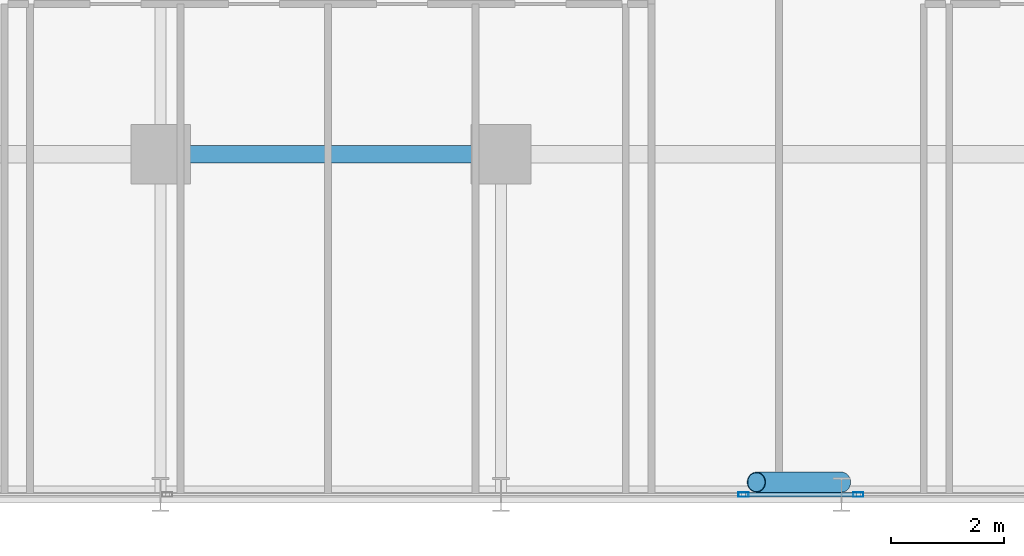
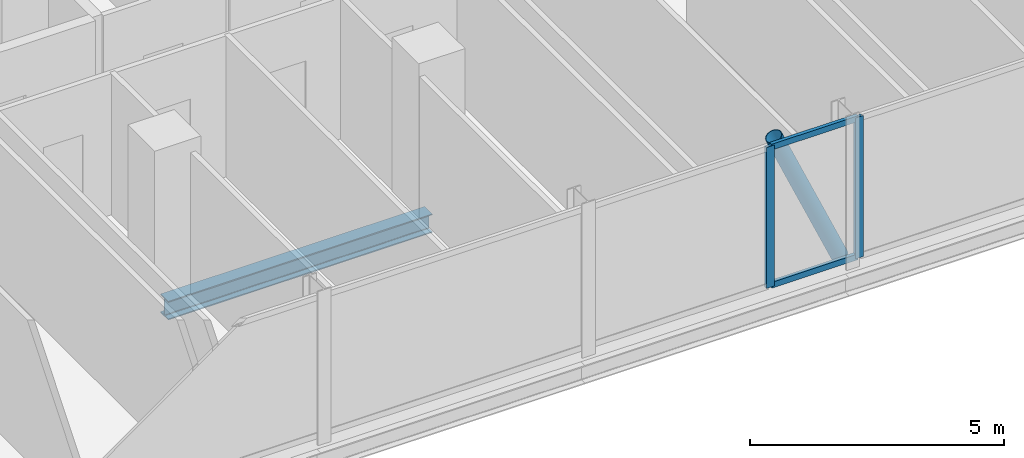
# One storey, part 8 of 29: 5 members, 1 beam, 2 elements without a shape of their own.
"""IFC4 building model written with IfcOpenShell, lengths in metres."""

from ifc_helpers import new_model, si_unit, direction, frame, origin, origin_2d, place, context, subcontext, project, spatial, hollow_rectangle, hollow_circle, i_section, extrude, material, layer, layer_set, material_profile, profile_set, type_object, element, aggregate, save


model = new_model("IFC4")

# Units and contexts
model_context = context("Model", 3, precision=1e-05, world=origin(), true_north=direction((0.0, 1.0)))
body_context = subcontext(model_context, "Body", "Model", "MODEL_VIEW")
ifc_project = project(units=[si_unit("LENGTHUNIT", "METRE"), si_unit("AREAUNIT", "SQUARE_METRE"), si_unit("VOLUMEUNIT", "CUBIC_METRE"), si_unit("PLANEANGLEUNIT", "RADIAN"), si_unit("MASSUNIT", "GRAM", prefix="KILO")], contexts=[model_context])

# Site, building, storey
site_placement = place(None, origin())
site = spatial("IfcSite", under=ifc_project, at=site_placement, CompositionType="ELEMENT")
building_placement = place(site_placement, origin())
building = spatial("IfcBuilding", under=site, at=building_placement, Name="Keshet Zoharim Tower", CompositionType="ELEMENT")
storey_placement = place(building_placement, frame((0.0, 0.0, 98.300048828125)))
storey = spatial("IfcBuildingStorey", under=building, at=storey_placement, Name="L23", CompositionType="ELEMENT", Elevation=98.300048828125)

# Beam
ifc_material_1 = material(Name="Steel S355", Category="steel")
ifc_material_profile_1 = material_profile(ifc_material_1, i_section(OverallWidth=0.300048828125, OverallDepth=0.449951171875, WebThickness=0.013916015625, FlangeThickness=0.02587890625, FilletRadius=0.027099609375, at=origin_2d()), Name="HEB450")
ifc_profile_set_1 = profile_set([ifc_material_profile_1], Name="Steel S355")
beam_type = type_object("IfcBeamType", Name="BM-WEB-HB450", PredefinedType="BEAM", material=ifc_profile_set_1)
beam_placement = place(storey_placement, frame((33.0, 6.699951171875, -0.5400390625), z_axis=(1.0, 0.0, 0.0), x_axis=(0.0, 1.0, 0.0)))
element("IfcBeam", 1, at=beam_placement, inside=storey, type_object=beam_type, Name="L23 Primary Girder X-007", PredefinedType="BEAM", context=body_context, shape_type="SweptSolid", body=[
    extrude(i_section(OverallWidth=0.300048828125, OverallDepth=0.449951171875, WebThickness=0.013916015625, FlangeThickness=0.02587890625, FilletRadius=0.027099609375, at=origin_2d()), origin(), (0.0, 0.0, 1.0), 6.0),
])

# Curtain wall, member
ifc_material_2 = material(Name="Aluminium 6063-T6", Category="aluminium")
ifc_layer = layer(ifc_material_2, 0.159912109375)
ifc_layer_set = layer_set([ifc_layer], Name="Aluminium 6063-T6")
curtain_wall_type = type_object("IfcCurtainWallType", Name="CW-SYS-03", PredefinedType="NOTDEFINED", material=ifc_layer_set)
curtain_wall_1_placement = place(storey_placement, origin())
curtain_wall_1 = element("IfcCurtainWall", 2, at=curtain_wall_1_placement, inside=storey, type_object=curtain_wall_type, Name="L23 Unitised Curtain Wall 03", PredefinedType="NOTDEFINED")
ifc_material_profile_2 = material_profile(ifc_material_2, hollow_rectangle(XDim=0.080078125, YDim=0.179931640625, WallThickness=0.00439453125, at=origin_2d()), Name="MUL-80x180")
ifc_profile_set_2 = profile_set([ifc_material_profile_2], Name="Aluminium 6063-T6")
member_type_1 = type_object("IfcMemberType", Name="CWM-M18", PredefinedType="MULLION", material=ifc_profile_set_2)
member_1_placement = place(storey_placement, frame((45.297607421875, 0.699951171875, 0.0), z_axis=(0.0, 0.0, 1.0), x_axis=(0.0, -1.0, 0.0)))
member_1 = element("IfcMember", 3, at=member_1_placement, type_object=member_type_1, Name="CW-03 mullion 2", PredefinedType="MULLION", context=body_context, shape_type="SweptSolid", body=[
    extrude(hollow_rectangle(XDim=0.080078125, YDim=0.179931640625, WallThickness=0.00439453125, at=origin_2d()), origin(), (0.0, 0.0, 1.0), 3.385009765625),
])
aggregate(curtain_wall_1, [member_1])

# Curtain wall, members
curtain_wall_2_placement = place(storey_placement, origin())
curtain_wall_2 = element("IfcCurtainWall", 4, at=curtain_wall_2_placement, inside=storey, type_object=curtain_wall_type, Name="L23 Unitised Curtain Wall 03 Part 2", PredefinedType="NOTDEFINED")
member_2_placement = place(storey_placement, frame((43.2724609375, 0.699951171875, 0.0), z_axis=(0.0, 0.0, 1.0), x_axis=(0.0, -1.0, 0.0)))
member_2 = element("IfcMember", 5, at=member_2_placement, type_object=member_type_1, Name="CW-03 mullion 2", PredefinedType="MULLION", context=body_context, shape_type="SweptSolid", body=[
    extrude(hollow_rectangle(XDim=0.080078125, YDim=0.179931640625, WallThickness=0.00439453125, at=origin_2d()), origin(), (0.0, 0.0, 1.0), 3.385009765625),
])
ifc_material_profile_3 = material_profile(ifc_material_2, hollow_rectangle(XDim=0.080078125, YDim=0.139892578125, WallThickness=0.00390625, at=origin_2d()), Name="TRN-80x140")
ifc_profile_set_3 = profile_set([ifc_material_profile_3], Name="Aluminium 6063-T6")
member_type_2 = type_object("IfcMemberType", Name="CWT-T14", PredefinedType="USERDEFINED", material=ifc_profile_set_3)
member_3_placement = place(storey_placement, frame((45.2626953125, 0.699951171875, 0.034912109375), z_axis=(-1.0, 0.0, 0.0), x_axis=(0.0, -1.0, 0.0)))
member_3 = element("IfcMember", 6, at=member_3_placement, type_object=member_type_2, Name="CW-03 transom 1.1", ObjectType="TRANSOM", PredefinedType="USERDEFINED", context=body_context, shape_type="SweptSolid", body=[
    extrude(hollow_rectangle(XDim=0.080078125, YDim=0.139892578125, WallThickness=0.00390625, at=origin_2d()), origin(), (0.0, 0.0, 1.0), 1.955322265625),
])
member_4_placement = place(storey_placement, frame((45.2626953125, 0.699951171875, 3.349853515625), z_axis=(-1.0, 0.0, 0.0), x_axis=(0.0, -1.0, 0.0)))
member_4 = element("IfcMember", 7, at=member_4_placement, type_object=member_type_2, Name="CW-03 transom 1.2", ObjectType="TRANSOM", PredefinedType="USERDEFINED", context=body_context, shape_type="SweptSolid", body=[
    extrude(hollow_rectangle(XDim=0.080078125, YDim=0.139892578125, WallThickness=0.00390625, at=origin_2d()), origin(), (0.0, 0.0, 1.0), 1.955322265625),
])
aggregate(curtain_wall_2, [member_2, member_3, member_4])

# Member
ifc_material_profile_4 = material_profile(ifc_material_1, hollow_circle(Radius=0.177734375, WallThickness=0.012451171875, at=origin_2d()), Name="CHS355x12.5")
ifc_profile_set_4 = profile_set([ifc_material_profile_4], Name="Steel S355")
member_type_3 = type_object("IfcMemberType", Name="MB-BR-C355", PredefinedType="BRACE", material=ifc_profile_set_4)
member_5_placement = place(storey_placement, frame((45.0, 0.919921875, 0.0), z_axis=(-0.405134846829, 0.0, 0.91425694194), x_axis=(0.0, -1.0, 0.0)))
element("IfcMember", 8, at=member_5_placement, inside=storey, type_object=member_type_3, Name="L23 Perimeter Tube Brace 04", PredefinedType="BRACE", context=body_context, shape_type="SweptSolid", body=[
    extrude(hollow_circle(Radius=0.177734375, WallThickness=0.012451171875, at=origin_2d()), origin(), (0.0, 0.0, 1.0), 3.702392578125),
])

save(model, "model.ifc")
